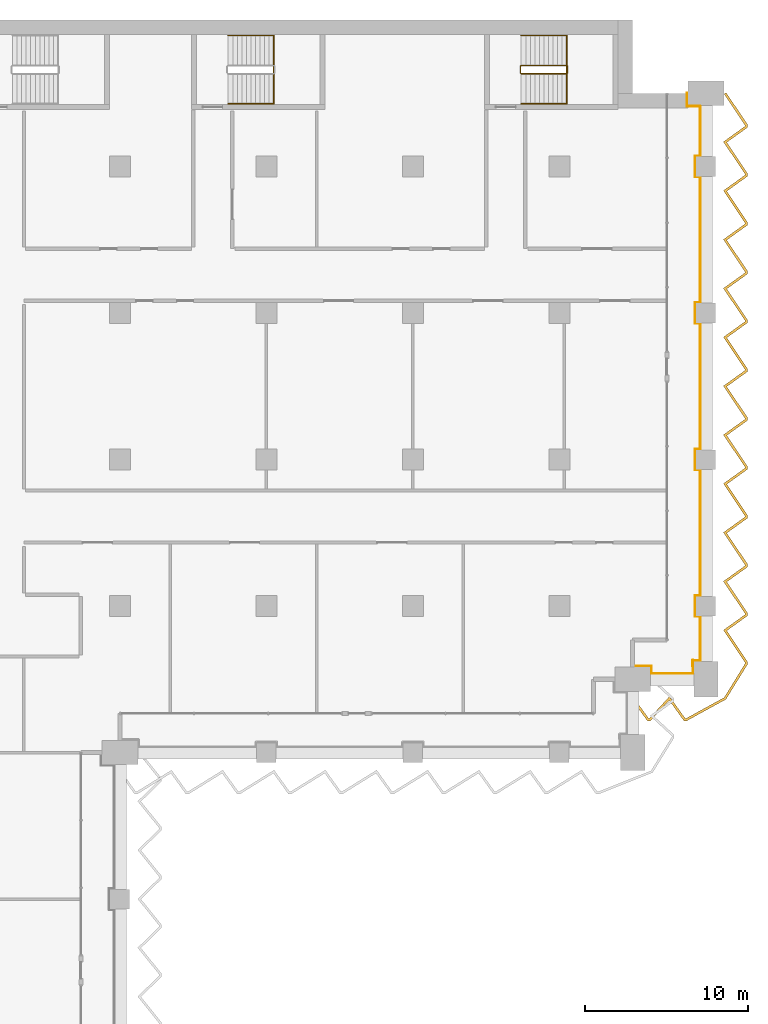
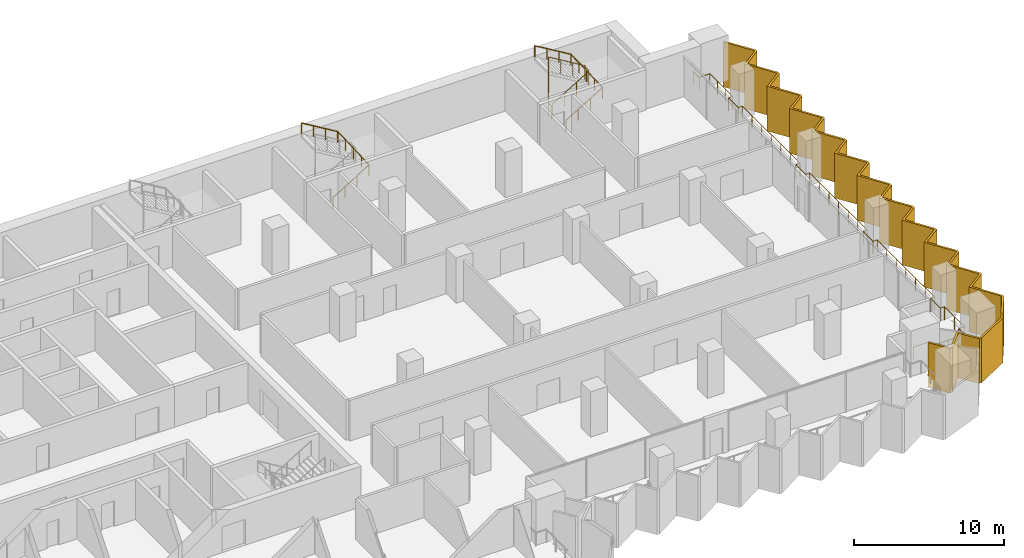
# One storey, part 22 of 22: 4 railings, 1 shading device.
"""IFC4 building model written with IfcOpenShell, lengths in metres."""

from ifc_helpers import new_model, si_unit, direction, frame, origin, origin_2d, place, context, subcontext, project, spatial, polyline, circle, outline, extrude, material, layer, layer_set, type_object, element, save


model = new_model("IFC4")

# Units and contexts
model_context = context("Model", 3, precision=1e-05, world=origin(), true_north=direction((0.0, 1.0)))
body_context = subcontext(model_context, "Body", "Model", "MODEL_VIEW")
ifc_project = project(units=[si_unit("LENGTHUNIT", "METRE"), si_unit("AREAUNIT", "SQUARE_METRE"), si_unit("VOLUMEUNIT", "CUBIC_METRE"), si_unit("PLANEANGLEUNIT", "RADIAN"), si_unit("MASSUNIT", "GRAM", prefix="KILO")], contexts=[model_context])

# Site, building, storey
site_placement = place(None, origin())
site = spatial("IfcSite", under=ifc_project, at=site_placement, CompositionType="ELEMENT")
building_placement = place(site_placement, origin())
building = spatial("IfcBuilding", under=site, at=building_placement, Name="Hunhe Ridgeline Campus", CompositionType="ELEMENT")
storey_placement = place(building_placement, frame((0.0, 0.0, 88.5)))
storey = spatial("IfcBuildingStorey", under=building, at=storey_placement, Name="L21", CompositionType="ELEMENT", Elevation=88.5)

# Railing
ifc_material_1 = material(Name="Steel Q355", Category="steel")
railing_type_1 = type_object("IfcRailingType", Name="Loggia guard 1100 Steel Q355", PredefinedType="GUARDRAIL", material=ifc_material_1)
railing_1_placement = place(storey_placement, frame((76.5, 59.320068359375, 0.0)))
element("IfcRailing", 1, at=railing_1_placement, inside=storey, type_object=railing_type_1, Name="Loggia guard 3", PredefinedType="GUARDRAIL", context=body_context, shape_type="SweptSolid", body=[
    extrude(circle(Radius=0.02392578125, at=origin_2d()), frame((0.0, 0.0, 1.076171875), z_axis=(1.0, 0.0, 0.0), x_axis=(0.0, 1.0, 0.0)), (0.0, 0.0, 1.0), 1.14990234375),
    extrude(circle(Radius=0.02392578125, at=origin_2d()), frame((1.14990234375, 0.0, 1.076171875), z_axis=(0.0, -1.0, 0.0), x_axis=(1.0, 0.0, 0.0)), (0.0, 0.0, 1.0), 0.469970703125),
    extrude(circle(Radius=0.02392578125, at=origin_2d()), frame((1.14990234375, -0.469970703125, 1.076171875), z_axis=(1.0, 0.0, 0.0), x_axis=(0.0, 1.0, 0.0)), (0.0, 0.0, 1.0), 2.550048828125),
    extrude(circle(Radius=0.02392578125, at=origin_2d()), frame((3.699951171875, -0.469970703125, 1.076171875), z_axis=(0.0, 1.0, 0.0), x_axis=(-1.0, 0.0, 0.0)), (0.0, 0.0, 1.0), 0.81982421875),
    extrude(circle(Radius=0.02392578125, at=origin_2d()), frame((3.699951171875, 0.349853515625, 1.076171875), z_axis=(-0.057129153726, -0.99836679622, 0.0), x_axis=(0.99836679622, -0.057129153726, 0.0)), (0.0, 0.0, 1.0), 0.350341796875),
    extrude(circle(Radius=0.02392578125, at=origin_2d()), frame((3.679931640625, 0.0, 1.076171875), z_axis=(0.0, 1.0, 0.0), x_axis=(-1.0, 0.0, 0.0)), (0.0, 0.0, 1.0), 0.329833984375),
    extrude(circle(Radius=0.02392578125, at=origin_2d()), frame((3.679931640625, 0.329833984375, 1.076171875), z_axis=(1.0, 0.0, 0.0), x_axis=(0.0, 1.0, 0.0)), (0.0, 0.0, 1.0), 0.469970703125),
    extrude(circle(Radius=0.02392578125, at=origin_2d()), frame((4.14990234375, 0.329833984375, 1.076171875), z_axis=(0.0, 1.0, 0.0), x_axis=(-1.0, 0.0, 0.0)), (0.0, 0.0, 1.0), 2.7001953125),
    extrude(circle(Radius=0.02392578125, at=origin_2d()), frame((4.14990234375, 3.030029296875, 1.076171875), z_axis=(-1.0, 0.0, 0.0), x_axis=(0.0, -1.0, 0.0)), (0.0, 0.0, 1.0), 0.31982421875),
    extrude(circle(Radius=0.02392578125, at=origin_2d()), frame((3.830078125, 3.030029296875, 1.076171875), z_axis=(0.0, 1.0, 0.0), x_axis=(-1.0, 0.0, 0.0)), (0.0, 0.0, 1.0), 1.2998046875),
    extrude(circle(Radius=0.02392578125, at=origin_2d()), frame((3.830078125, 4.329833984375, 1.076171875), z_axis=(1.0, 0.0, 0.0), x_axis=(0.0, 1.0, 0.0)), (0.0, 0.0, 1.0), 0.31982421875),
    extrude(circle(Radius=0.02392578125, at=origin_2d()), frame((4.14990234375, 4.329833984375, 1.076171875), z_axis=(0.0, 1.0, 0.0), x_axis=(-1.0, 0.0, 0.0)), (0.0, 0.0, 1.0), 7.7001953125),
    extrude(circle(Radius=0.02392578125, at=origin_2d()), frame((4.14990234375, 12.030029296875, 1.076171875), z_axis=(-1.0, 0.0, 0.0), x_axis=(0.0, -1.0, 0.0)), (0.0, 0.0, 1.0), 0.31982421875),
    extrude(circle(Radius=0.02392578125, at=origin_2d()), frame((3.830078125, 12.030029296875, 1.076171875), z_axis=(0.0, 1.0, 0.0), x_axis=(-1.0, 0.0, 0.0)), (0.0, 0.0, 1.0), 1.2998046875),
    extrude(circle(Radius=0.02392578125, at=origin_2d()), frame((3.830078125, 13.329833984375, 1.076171875), z_axis=(1.0, 0.0, 0.0), x_axis=(0.0, 1.0, 0.0)), (0.0, 0.0, 1.0), 0.31982421875),
    extrude(circle(Radius=0.02392578125, at=origin_2d()), frame((4.14990234375, 13.329833984375, 1.076171875), z_axis=(0.0, 1.0, 0.0), x_axis=(-1.0, 0.0, 0.0)), (0.0, 0.0, 1.0), 7.7001953125),
    extrude(circle(Radius=0.02392578125, at=origin_2d()), frame((4.14990234375, 21.030029296875, 1.076171875), z_axis=(-1.0, 0.0, 0.0), x_axis=(0.0, -1.0, 0.0)), (0.0, 0.0, 1.0), 0.31982421875),
    extrude(circle(Radius=0.02392578125, at=origin_2d()), frame((3.830078125, 21.030029296875, 1.076171875), z_axis=(0.0, 1.0, 0.0), x_axis=(-1.0, 0.0, 0.0)), (0.0, 0.0, 1.0), 1.2998046875),
    extrude(circle(Radius=0.02392578125, at=origin_2d()), frame((3.830078125, 22.329833984375, 1.076171875), z_axis=(1.0, 0.0, 0.0), x_axis=(0.0, 1.0, 0.0)), (0.0, 0.0, 1.0), 0.31982421875),
    extrude(circle(Radius=0.02392578125, at=origin_2d()), frame((4.14990234375, 22.329833984375, 1.076171875), z_axis=(0.0, 1.0, 0.0), x_axis=(-1.0, 0.0, 0.0)), (0.0, 0.0, 1.0), 7.7001953125),
    extrude(circle(Radius=0.02392578125, at=origin_2d()), frame((4.14990234375, 30.030029296875, 1.076171875), z_axis=(-1.0, 0.0, 0.0), x_axis=(0.0, -1.0, 0.0)), (0.0, 0.0, 1.0), 0.31982421875),
    extrude(circle(Radius=0.02392578125, at=origin_2d()), frame((3.830078125, 30.030029296875, 1.076171875), z_axis=(0.0, 1.0, 0.0), x_axis=(-1.0, 0.0, 0.0)), (0.0, 0.0, 1.0), 1.2998046875),
    extrude(circle(Radius=0.02392578125, at=origin_2d()), frame((3.830078125, 31.329833984375, 1.076171875), z_axis=(1.0, 0.0, 0.0), x_axis=(0.0, 1.0, 0.0)), (0.0, 0.0, 1.0), 0.31982421875),
    extrude(circle(Radius=0.02392578125, at=origin_2d()), frame((4.14990234375, 31.329833984375, 1.076171875), z_axis=(0.0, 1.0, 0.0), x_axis=(-1.0, 0.0, 0.0)), (0.0, 0.0, 1.0), 3.050048828125),
    extrude(circle(Radius=0.02392578125, at=origin_2d()), frame((4.14990234375, 34.3798828125, 1.076171875), z_axis=(-1.0, 0.0, 0.0), x_axis=(0.0, -1.0, 0.0)), (0.0, 0.0, 1.0), 0.81982421875),
    extrude(circle(Radius=0.02392578125, at=origin_2d()), frame((3.330078125, 34.3798828125, 1.076171875), z_axis=(0.0, 1.0, 0.0), x_axis=(-1.0, 0.0, 0.0)), (0.0, 0.0, 1.0), 0.800048828125),
    extrude(circle(Radius=0.02099609375, at=origin_2d()), origin(), (0.0, 0.0, 1.0), 1.052001953125),
    extrude(circle(Radius=0.02099609375, at=origin_2d()), frame((1.14990234375, 0.0, 0.0)), (0.0, 0.0, 1.0), 1.052001953125),
    extrude(circle(Radius=0.02099609375, at=origin_2d()), frame((1.14990234375, -0.469970703125, 0.0)), (0.0, 0.0, 1.0), 1.052001953125),
    extrude(circle(Radius=0.02099609375, at=origin_2d()), frame((2.4248046875, -0.469970703125, 0.0)), (0.0, 0.0, 1.0), 1.052001953125),
    extrude(circle(Radius=0.02099609375, at=origin_2d()), frame((3.699951171875, -0.469970703125, 0.0)), (0.0, 0.0, 1.0), 1.052001953125),
    extrude(circle(Radius=0.02099609375, at=origin_2d()), frame((3.699951171875, 0.349853515625, 0.0)), (0.0, 0.0, 1.0), 1.052001953125),
    extrude(circle(Radius=0.02099609375, at=origin_2d()), frame((3.679931640625, 0.0, 0.0)), (0.0, 0.0, 1.0), 1.052001953125),
    extrude(circle(Radius=0.02099609375, at=origin_2d()), frame((3.679931640625, 0.329833984375, 0.0)), (0.0, 0.0, 1.0), 1.052001953125),
    extrude(circle(Radius=0.02099609375, at=origin_2d()), frame((4.14990234375, 0.329833984375, 0.0)), (0.0, 0.0, 1.0), 1.052001953125),
    extrude(circle(Radius=0.02099609375, at=origin_2d()), frame((4.14990234375, 1.679931640625, 0.0)), (0.0, 0.0, 1.0), 1.052001953125),
    extrude(circle(Radius=0.02099609375, at=origin_2d()), frame((4.14990234375, 3.030029296875, 0.0)), (0.0, 0.0, 1.0), 1.052001953125),
    extrude(circle(Radius=0.02099609375, at=origin_2d()), frame((3.830078125, 3.030029296875, 0.0)), (0.0, 0.0, 1.0), 1.052001953125),
    extrude(circle(Radius=0.02099609375, at=origin_2d()), frame((3.830078125, 4.329833984375, 0.0)), (0.0, 0.0, 1.0), 1.052001953125),
    extrude(circle(Radius=0.02099609375, at=origin_2d()), frame((4.14990234375, 4.329833984375, 0.0)), (0.0, 0.0, 1.0), 1.052001953125),
    extrude(circle(Radius=0.02099609375, at=origin_2d()), frame((4.14990234375, 5.61328125, 0.0)), (0.0, 0.0, 1.0), 1.052001953125),
    extrude(circle(Radius=0.02099609375, at=origin_2d()), frame((4.14990234375, 6.896484375, 0.0)), (0.0, 0.0, 1.0), 1.052001953125),
    extrude(circle(Radius=0.02099609375, at=origin_2d()), frame((4.14990234375, 8.179931640625, 0.0)), (0.0, 0.0, 1.0), 1.052001953125),
    extrude(circle(Radius=0.02099609375, at=origin_2d()), frame((4.14990234375, 9.46337890625, 0.0)), (0.0, 0.0, 1.0), 1.052001953125),
    extrude(circle(Radius=0.02099609375, at=origin_2d()), frame((4.14990234375, 10.74658203125, 0.0)), (0.0, 0.0, 1.0), 1.052001953125),
    extrude(circle(Radius=0.02099609375, at=origin_2d()), frame((4.14990234375, 12.030029296875, 0.0)), (0.0, 0.0, 1.0), 1.052001953125),
    extrude(circle(Radius=0.02099609375, at=origin_2d()), frame((3.830078125, 12.030029296875, 0.0)), (0.0, 0.0, 1.0), 1.052001953125),
    extrude(circle(Radius=0.02099609375, at=origin_2d()), frame((3.830078125, 13.329833984375, 0.0)), (0.0, 0.0, 1.0), 1.052001953125),
    extrude(circle(Radius=0.02099609375, at=origin_2d()), frame((4.14990234375, 13.329833984375, 0.0)), (0.0, 0.0, 1.0), 1.052001953125),
    extrude(circle(Radius=0.02099609375, at=origin_2d()), frame((4.14990234375, 14.61328125, 0.0)), (0.0, 0.0, 1.0), 1.052001953125),
    extrude(circle(Radius=0.02099609375, at=origin_2d()), frame((4.14990234375, 15.896484375, 0.0)), (0.0, 0.0, 1.0), 1.052001953125),
    extrude(circle(Radius=0.02099609375, at=origin_2d()), frame((4.14990234375, 17.179931640625, 0.0)), (0.0, 0.0, 1.0), 1.052001953125),
    extrude(circle(Radius=0.02099609375, at=origin_2d()), frame((4.14990234375, 18.46337890625, 0.0)), (0.0, 0.0, 1.0), 1.052001953125),
    extrude(circle(Radius=0.02099609375, at=origin_2d()), frame((4.14990234375, 19.74658203125, 0.0)), (0.0, 0.0, 1.0), 1.052001953125),
    extrude(circle(Radius=0.02099609375, at=origin_2d()), frame((4.14990234375, 21.030029296875, 0.0)), (0.0, 0.0, 1.0), 1.052001953125),
    extrude(circle(Radius=0.02099609375, at=origin_2d()), frame((3.830078125, 21.030029296875, 0.0)), (0.0, 0.0, 1.0), 1.052001953125),
    extrude(circle(Radius=0.02099609375, at=origin_2d()), frame((3.830078125, 22.329833984375, 0.0)), (0.0, 0.0, 1.0), 1.052001953125),
    extrude(circle(Radius=0.02099609375, at=origin_2d()), frame((4.14990234375, 22.329833984375, 0.0)), (0.0, 0.0, 1.0), 1.052001953125),
    extrude(circle(Radius=0.02099609375, at=origin_2d()), frame((4.14990234375, 23.61328125, 0.0)), (0.0, 0.0, 1.0), 1.052001953125),
    extrude(circle(Radius=0.02099609375, at=origin_2d()), frame((4.14990234375, 24.896484375, 0.0)), (0.0, 0.0, 1.0), 1.052001953125),
    extrude(circle(Radius=0.02099609375, at=origin_2d()), frame((4.14990234375, 26.179931640625, 0.0)), (0.0, 0.0, 1.0), 1.052001953125),
    extrude(circle(Radius=0.02099609375, at=origin_2d()), frame((4.14990234375, 27.46337890625, 0.0)), (0.0, 0.0, 1.0), 1.052001953125),
    extrude(circle(Radius=0.02099609375, at=origin_2d()), frame((4.14990234375, 28.74658203125, 0.0)), (0.0, 0.0, 1.0), 1.052001953125),
    extrude(circle(Radius=0.02099609375, at=origin_2d()), frame((4.14990234375, 30.030029296875, 0.0)), (0.0, 0.0, 1.0), 1.052001953125),
    extrude(circle(Radius=0.02099609375, at=origin_2d()), frame((3.830078125, 30.030029296875, 0.0)), (0.0, 0.0, 1.0), 1.052001953125),
    extrude(circle(Radius=0.02099609375, at=origin_2d()), frame((3.830078125, 31.329833984375, 0.0)), (0.0, 0.0, 1.0), 1.052001953125),
    extrude(circle(Radius=0.02099609375, at=origin_2d()), frame((4.14990234375, 31.329833984375, 0.0)), (0.0, 0.0, 1.0), 1.052001953125),
    extrude(circle(Radius=0.02099609375, at=origin_2d()), frame((4.14990234375, 32.346435546875, 0.0)), (0.0, 0.0, 1.0), 1.052001953125),
    extrude(circle(Radius=0.02099609375, at=origin_2d()), frame((4.14990234375, 33.36328125, 0.0)), (0.0, 0.0, 1.0), 1.052001953125),
    extrude(circle(Radius=0.02099609375, at=origin_2d()), frame((4.14990234375, 34.3798828125, 0.0)), (0.0, 0.0, 1.0), 1.052001953125),
    extrude(circle(Radius=0.02099609375, at=origin_2d()), frame((3.330078125, 34.3798828125, 0.0)), (0.0, 0.0, 1.0), 1.052001953125),
    extrude(circle(Radius=0.02099609375, at=origin_2d()), frame((3.330078125, 35.179931640625, 0.0)), (0.0, 0.0, 1.0), 1.052001953125),
])

# Shading device
ifc_material_2 = material(Name="Concrete C50", Category="concrete")
ifc_layer = layer(ifc_material_2, 0.14990234375)
ifc_layer_set = layer_set([ifc_layer], Name="Sawtooth concrete fin 150 Concrete C50")
shading_device_type = type_object("IfcShadingDeviceType", Name="Sawtooth concrete fin 150 Concrete C50", PredefinedType="USERDEFINED", material=ifc_layer_set)
shading_device_placement = place(storey_placement, frame((0.0, 0.0, -0.949951171875)))
element("IfcShadingDevice", 2, at=shading_device_placement, inside=storey, type_object=shading_device_type, Name="Concrete fin screen 3", ObjectType="FIN", PredefinedType="USERDEFINED", context=body_context, shape_type="SweptSolid", body=[
    extrude(outline(polyline([(76.560791015625, 57.368896484375), (76.439208984375, 57.28125), (77.396484375, 55.949951171875), (77.587890625, 55.949951171875), (78.742919921875, 57.20654296875), (79.646484375, 55.949951171875), (79.82421875, 55.949951171875), (82.228515625, 57.268798828125), (83.550048828125, 59.413818359375), (83.550048828125, 59.577880859375), (82.277587890625, 61.4814453125), (83.550048828125, 62.396484375), (83.550048828125, 62.577880859375), (82.277587890625, 64.4814453125), (83.550048828125, 65.396484375), (83.550048828125, 65.577880859375), (82.277587890625, 67.4814453125), (83.550048828125, 68.396484375), (83.550048828125, 68.577880859375), (82.277587890625, 70.4814453125), (83.550048828125, 71.396484375), (83.550048828125, 71.577880859375), (82.277587890625, 73.4814453125), (83.550048828125, 74.396484375), (83.550048828125, 74.577880859375), (82.277587890625, 76.4814453125), (83.550048828125, 77.396484375), (83.550048828125, 77.577880859375), (82.277587890625, 79.4814453125), (83.550048828125, 80.396484375), (83.550048828125, 80.577880859375), (82.277587890625, 82.4814453125), (83.550048828125, 83.396484375), (83.550048828125, 83.577880859375), (82.277587890625, 85.4814453125), (83.550048828125, 86.396484375), (83.550048828125, 86.577880859375), (82.277587890625, 88.4814453125), (83.550048828125, 89.396484375), (83.550048828125, 89.577880859375), (82.277587890625, 91.4814453125), (83.550048828125, 92.396484375), (83.550048828125, 92.577880859375), (82.2373046875, 94.541748046875), (82.112548828125, 94.458251953125), (83.39990234375, 92.5322265625), (83.39990234375, 92.473388671875), (82.072265625, 91.5185546875), (83.39990234375, 89.5322265625), (83.39990234375, 89.473388671875), (82.072265625, 88.5185546875), (83.39990234375, 86.5322265625), (83.39990234375, 86.473388671875), (82.072265625, 85.5185546875), (83.39990234375, 83.5322265625), (83.39990234375, 83.473388671875), (82.072265625, 82.5185546875), (83.39990234375, 80.5322265625), (83.39990234375, 80.473388671875), (82.072265625, 79.5185546875), (83.39990234375, 77.5322265625), (83.39990234375, 77.473388671875), (82.072265625, 76.5185546875), (83.39990234375, 74.5322265625), (83.39990234375, 74.473388671875), (82.072265625, 73.5185546875), (83.39990234375, 71.5322265625), (83.39990234375, 71.473388671875), (82.072265625, 70.5185546875), (83.39990234375, 68.5322265625), (83.39990234375, 68.473388671875), (82.072265625, 67.5185546875), (83.39990234375, 65.5322265625), (83.39990234375, 65.473388671875), (82.072265625, 64.5185546875), (83.39990234375, 62.5322265625), (83.39990234375, 62.473388671875), (82.072265625, 61.5185546875), (83.39990234375, 59.5322265625), (83.39990234375, 59.456298828125), (82.12158203125, 57.381103515625), (79.785888671875, 56.10009765625), (79.723388671875, 56.10009765625), (78.757080078125, 57.443603515625), (77.52197265625, 56.10009765625), (77.473388671875, 56.10009765625), (76.560791015625, 57.368896484375)])), origin(), (0.0, 0.0, 1.0), 3.64990234375),
])

# Railings
ifc_material_3 = material(Name="Stainless steel balustrade", Category="steel")
railing_type_2 = type_object("IfcRailingType", Name="Stair guard 1100 stainless", PredefinedType="GUARDRAIL", material=ifc_material_3)
railing_2_placement = place(storey_placement, frame((69.64990234375, 95.699951171875, 0.168212890625)))
element("IfcRailing", 3, at=railing_2_placement, inside=storey, type_object=railing_type_2, Name="L21 stair E3 guard", PredefinedType="GUARDRAIL", context=body_context, shape_type="SweptSolid", body=[
    extrude(circle(Radius=0.02392578125, at=origin_2d()), frame((0.0, 0.0, 1.076171875), z_axis=(0.857242210791, 0.0, 0.514913383045), x_axis=(0.0, 1.0, 0.0)), (0.0, 0.0, 1.0), 3.266357421875),
    extrude(circle(Radius=0.02392578125, at=origin_2d()), frame((2.800048828125, 0.0, 2.7578125), z_axis=(0.707106781187, 0.707106781187, 0.0), x_axis=(-0.707106781187, 0.707106781187, 0.0)), (0.0, 0.0, 1.0), 0.07080078125),
    extrude(circle(Radius=0.02392578125, at=origin_2d()), frame((2.85009765625, 0.050048828125, 2.7578125), z_axis=(0.0, 1.0, 0.0), x_axis=(-1.0, 0.0, 0.0)), (0.0, 0.0, 1.0), 0.39990234375),
    extrude(circle(Radius=0.02392578125, at=origin_2d()), frame((2.85009765625, 0.449951171875, 2.7578125), z_axis=(-0.274582412415, 0.274582412415, 0.921525364591), x_axis=(-0.707106781187, -0.707106781187, 0.0)), (0.0, 0.0, 1.0), 0.182373046875),
    extrude(circle(Radius=0.02392578125, at=origin_2d()), frame((2.800048828125, 0.5, 2.92578125), z_axis=(-0.857242210791, 0.0, 0.514913383045), x_axis=(0.0, -1.0, 0.0)), (0.0, 0.0, 1.0), 3.266357421875),
    extrude(circle(Radius=0.02392578125, at=origin_2d()), frame((0.0, 0.5, 4.60791015625), z_axis=(-0.013458453615, -0.013524426427, -0.999817963389), x_axis=(0.708833529934, -0.705375805398, 0.0)), (0.0, 0.0, 1.0), 3.70068359375),
    extrude(circle(Radius=0.02392578125, at=origin_2d()), frame((-0.0498046875, 0.449951171875, 0.90771484375), z_axis=(0.0, -1.0, 0.0), x_axis=(1.0, 0.0, 0.0)), (0.0, 0.0, 1.0), 0.39990234375),
    extrude(circle(Radius=0.02099609375, at=origin_2d()), origin(), (0.0, 0.0, 1.0), 1.052001953125),
    extrude(circle(Radius=0.02099609375, at=origin_2d()), frame((0.933349609375, 0.0, 0.560546875)), (0.0, 0.0, 1.0), 1.052001953125),
    extrude(circle(Radius=0.02099609375, at=origin_2d()), frame((1.86669921875, 0.0, 1.121337890625)), (0.0, 0.0, 1.0), 1.052001953125),
    extrude(circle(Radius=0.02099609375, at=origin_2d()), frame((2.800048828125, 0.0, 1.681884765625)), (0.0, 0.0, 1.0), 1.052001953125),
    extrude(circle(Radius=0.02099609375, at=origin_2d()), frame((2.85009765625, 0.050048828125, 1.681884765625)), (0.0, 0.0, 1.0), 1.052001953125),
    extrude(circle(Radius=0.02099609375, at=origin_2d()), frame((2.85009765625, 0.449951171875, 1.681884765625)), (0.0, 0.0, 1.0), 1.052001953125),
    extrude(circle(Radius=0.02099609375, at=origin_2d()), frame((2.800048828125, 0.5, 1.849853515625)), (0.0, 0.0, 1.0), 1.052001953125),
    extrude(circle(Radius=0.02099609375, at=origin_2d()), frame((1.86669921875, 0.5, 2.410400390625)), (0.0, 0.0, 1.0), 1.052001953125),
    extrude(circle(Radius=0.02099609375, at=origin_2d()), frame((0.933349609375, 0.5, 2.97119140625)), (0.0, 0.0, 1.0), 1.052001953125),
    extrude(circle(Radius=0.02099609375, at=origin_2d()), frame((0.0, 0.5, 3.53173828125)), (0.0, 0.0, 1.0), 1.052001953125),
    extrude(circle(Radius=0.02099609375, at=origin_2d()), frame((-0.012451171875, 0.487548828125, 2.606689453125)), (0.0, 0.0, 1.0), 1.052001953125),
    extrude(circle(Radius=0.02099609375, at=origin_2d()), frame((-0.02490234375, 0.47509765625, 1.681640625)), (0.0, 0.0, 1.0), 1.052001953125),
    extrude(circle(Radius=0.02099609375, at=origin_2d()), frame((-0.037353515625, 0.46240234375, 0.7568359375)), (0.0, 0.0, 1.0), 1.052001953125),
    extrude(circle(Radius=0.02099609375, at=origin_2d()), frame((-0.0498046875, 0.449951171875, -0.168212890625)), (0.0, 0.0, 1.0), 1.052001953125),
    extrude(circle(Radius=0.02099609375, at=origin_2d()), frame((-0.0498046875, 0.050048828125, -0.168212890625)), (0.0, 0.0, 1.0), 1.052001953125),
])
ifc_material_4 = material(Name="Stainless steel handrail", Category="steel")
railing_type_3 = type_object("IfcRailingType", Name="Stair handrail 900 stainless", PredefinedType="HANDRAIL", material=ifc_material_4)
railing_3_placement = place(storey_placement, frame((51.64990234375, 93.85009765625, 0.168212890625)))
element("IfcRailing", 4, at=railing_3_placement, inside=storey, type_object=railing_type_3, Name="L21 stair E2 handrail", PredefinedType="HANDRAIL", context=body_context, shape_type="SweptSolid", body=[
    extrude(circle(Radius=0.02392578125, at=origin_2d()), frame((0.0, 0.0, 0.8759765625), z_axis=(0.857242210791, 0.0, 0.514913383045), x_axis=(0.0, 1.0, 0.0)), (0.0, 0.0, 1.0), 3.266357421875),
    extrude(circle(Radius=0.02392578125, at=origin_2d()), frame((2.800048828125, 0.0, 2.5576171875), z_axis=(0.0, 0.99920123705, 0.039961079526), x_axis=(-1.0, 0.0, 0.0)), (0.0, 0.0, 1.0), 4.203369140625),
    extrude(circle(Radius=0.02392578125, at=origin_2d()), frame((2.800048828125, 4.199951171875, 2.7255859375), z_axis=(-0.857242210791, 0.0, 0.514913383045), x_axis=(0.0, -1.0, 0.0)), (0.0, 0.0, 1.0), 3.266357421875),
    extrude(circle(Radius=0.02099609375, at=origin_2d()), origin(), (0.0, 0.0, 1.0), 0.851806640625),
    extrude(circle(Radius=0.02099609375, at=origin_2d()), frame((0.933349609375, 0.0, 0.560546875)), (0.0, 0.0, 1.0), 0.851806640625),
    extrude(circle(Radius=0.02099609375, at=origin_2d()), frame((1.86669921875, 0.0, 1.121337890625)), (0.0, 0.0, 1.0), 0.851806640625),
    extrude(circle(Radius=0.02099609375, at=origin_2d()), frame((2.800048828125, 0.0, 1.681884765625)), (0.0, 0.0, 1.0), 0.851806640625),
    extrude(circle(Radius=0.02099609375, at=origin_2d()), frame((2.800048828125, 1.050048828125, 1.723876953125)), (0.0, 0.0, 1.0), 0.851806640625),
    extrude(circle(Radius=0.02099609375, at=origin_2d()), frame((2.800048828125, 2.10009765625, 1.765869140625)), (0.0, 0.0, 1.0), 0.851806640625),
    extrude(circle(Radius=0.02099609375, at=origin_2d()), frame((2.800048828125, 3.14990234375, 1.807861328125)), (0.0, 0.0, 1.0), 0.851806640625),
    extrude(circle(Radius=0.02099609375, at=origin_2d()), frame((2.800048828125, 4.199951171875, 1.849853515625)), (0.0, 0.0, 1.0), 0.851806640625),
    extrude(circle(Radius=0.02099609375, at=origin_2d()), frame((1.86669921875, 4.199951171875, 2.410400390625)), (0.0, 0.0, 1.0), 0.851806640625),
    extrude(circle(Radius=0.02099609375, at=origin_2d()), frame((0.933349609375, 4.199951171875, 2.97119140625)), (0.0, 0.0, 1.0), 0.851806640625),
    extrude(circle(Radius=0.02099609375, at=origin_2d()), frame((0.0, 4.199951171875, 3.53173828125)), (0.0, 0.0, 1.0), 0.851806640625),
])
railing_4_placement = place(storey_placement, frame((69.64990234375, 93.85009765625, 0.168212890625)))
element("IfcRailing", 5, at=railing_4_placement, inside=storey, type_object=railing_type_3, Name="L21 stair E3 handrail", PredefinedType="HANDRAIL", context=body_context, shape_type="SweptSolid", body=[
    extrude(circle(Radius=0.02392578125, at=origin_2d()), frame((0.0, 0.0, 0.8759765625), z_axis=(0.857242210791, 0.0, 0.514913383045), x_axis=(0.0, 1.0, 0.0)), (0.0, 0.0, 1.0), 3.266357421875),
    extrude(circle(Radius=0.02392578125, at=origin_2d()), frame((2.800048828125, 0.0, 2.5576171875), z_axis=(0.0, 0.99920123705, 0.039961079526), x_axis=(-1.0, 0.0, 0.0)), (0.0, 0.0, 1.0), 4.203369140625),
    extrude(circle(Radius=0.02392578125, at=origin_2d()), frame((2.800048828125, 4.199951171875, 2.7255859375), z_axis=(-0.857242210791, 0.0, 0.514913383045), x_axis=(0.0, -1.0, 0.0)), (0.0, 0.0, 1.0), 3.266357421875),
    extrude(circle(Radius=0.02099609375, at=origin_2d()), origin(), (0.0, 0.0, 1.0), 0.851806640625),
    extrude(circle(Radius=0.02099609375, at=origin_2d()), frame((0.933349609375, 0.0, 0.560546875)), (0.0, 0.0, 1.0), 0.851806640625),
    extrude(circle(Radius=0.02099609375, at=origin_2d()), frame((1.86669921875, 0.0, 1.121337890625)), (0.0, 0.0, 1.0), 0.851806640625),
    extrude(circle(Radius=0.02099609375, at=origin_2d()), frame((2.800048828125, 0.0, 1.681884765625)), (0.0, 0.0, 1.0), 0.851806640625),
    extrude(circle(Radius=0.02099609375, at=origin_2d()), frame((2.800048828125, 1.050048828125, 1.723876953125)), (0.0, 0.0, 1.0), 0.851806640625),
    extrude(circle(Radius=0.02099609375, at=origin_2d()), frame((2.800048828125, 2.10009765625, 1.765869140625)), (0.0, 0.0, 1.0), 0.851806640625),
    extrude(circle(Radius=0.02099609375, at=origin_2d()), frame((2.800048828125, 3.14990234375, 1.807861328125)), (0.0, 0.0, 1.0), 0.851806640625),
    extrude(circle(Radius=0.02099609375, at=origin_2d()), frame((2.800048828125, 4.199951171875, 1.849853515625)), (0.0, 0.0, 1.0), 0.851806640625),
    extrude(circle(Radius=0.02099609375, at=origin_2d()), frame((1.86669921875, 4.199951171875, 2.410400390625)), (0.0, 0.0, 1.0), 0.851806640625),
    extrude(circle(Radius=0.02099609375, at=origin_2d()), frame((0.933349609375, 4.199951171875, 2.97119140625)), (0.0, 0.0, 1.0), 0.851806640625),
    extrude(circle(Radius=0.02099609375, at=origin_2d()), frame((0.0, 4.199951171875, 3.53173828125)), (0.0, 0.0, 1.0), 0.851806640625),
])

save(model, "model.ifc")
